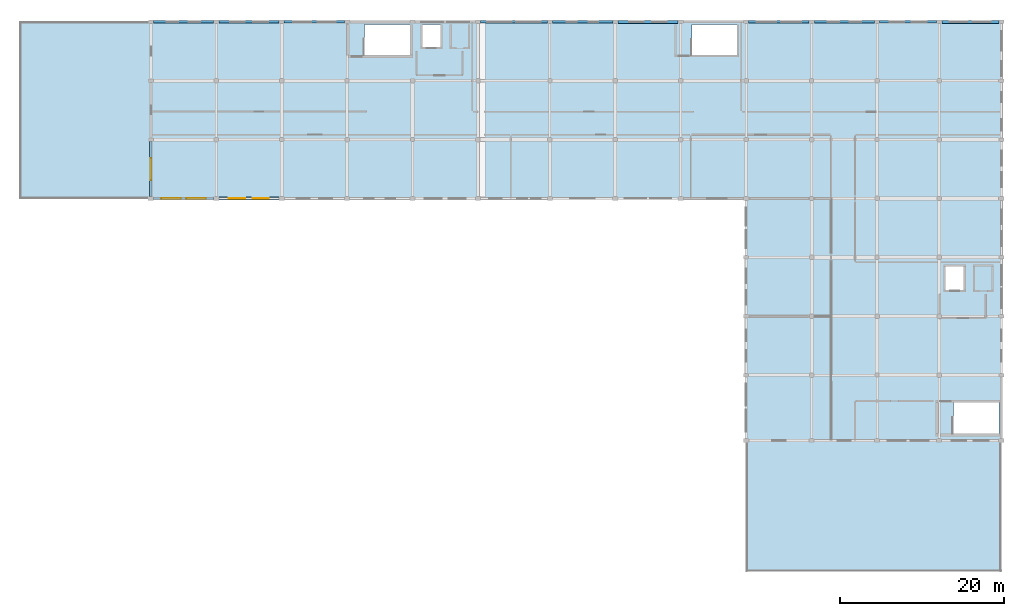
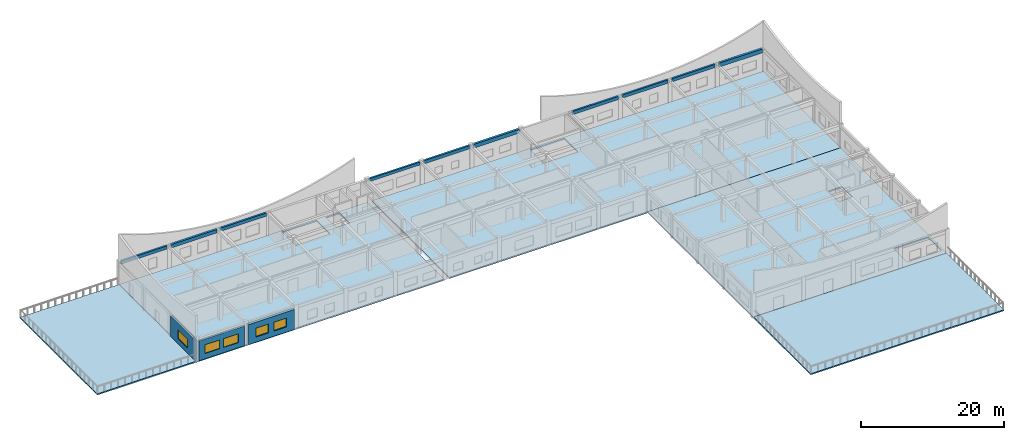
# One storey, part 3 of 10: 10 beams, 5 slabs, 5 windows, 3 walls, 5 openings.
"""IFC4 building model written with IfcOpenShell, lengths in metres."""

from ifc_helpers import new_model, si_unit, direction, frame, frame_2d, origin, origin_2d, place, context, subcontext, project, spatial, polyline, rectangle, outline, extrude, material, layer, layer_set, material_profile, profile_set, type_object, element, fill, save


model = new_model("IFC4")

# Units and contexts
model_context = context("Model", 3, precision=1e-05, world=origin(), true_north=direction((0.0, 1.0)))
body_context = subcontext(model_context, "Body", "Model", "MODEL_VIEW")
ifc_project = project(units=[si_unit("LENGTHUNIT", "METRE"), si_unit("AREAUNIT", "SQUARE_METRE"), si_unit("VOLUMEUNIT", "CUBIC_METRE"), si_unit("PLANEANGLEUNIT", "RADIAN"), si_unit("MASSUNIT", "GRAM", prefix="KILO")], contexts=[model_context])

# Site, building, storey
site_placement = place(None, origin())
site = spatial("IfcSite", under=ifc_project, at=site_placement, CompositionType="ELEMENT")
building_placement = place(site_placement, origin())
building = spatial("IfcBuilding", under=site, at=building_placement, Name="Kharva Crest Polytechnic", CompositionType="ELEMENT")
storey_placement = place(building_placement, frame((0.0, 0.0, 25.800048828125)))
storey = spatial("IfcBuildingStorey", under=building, at=storey_placement, Name="L06", CompositionType="ELEMENT", Elevation=25.800048828125)

# Beams
ifc_material_1 = material(Name="Concrete C35/45", Category="concrete")
ifc_material_profile_1 = material_profile(ifc_material_1, rectangle(XDim=0.280029296875, YDim=0.5, at=origin_2d()), Name="RECT 280 X 500")
ifc_profile_set_1 = profile_set([ifc_material_profile_1], Name="Concrete C35/45")
beam_type_1 = type_object("IfcBeamType", Name="SP-RC-280X500", PredefinedType="SPANDREL", material=ifc_profile_set_1)
beam_1_placement = place(storey_placement, frame((120.324951171875, 122.0, 3.724853515625), z_axis=(1.0, 0.0, 0.0), x_axis=(0.0, 1.0, 0.0)))
element("IfcBeam", 1, at=beam_1_placement, inside=storey, type_object=beam_type_1, Name="L06 Beam S/16-17", PredefinedType="SPANDREL", context=body_context, shape_type="SweptSolid", body=[
    extrude(rectangle(XDim=0.280029296875, YDim=0.5, at=origin_2d()), origin(), (0.0, 0.0, 1.0), 8.150146484375),
])
ifc_material_profile_2 = material_profile(ifc_material_1, rectangle(XDim=0.300048828125, YDim=0.550048828125, at=origin_2d()), Name="RECT 300 X 550")
ifc_profile_set_2 = profile_set([ifc_material_profile_2], Name="Concrete C35/45")
beam_type_2 = type_object("IfcBeamType", Name="SP-RC-300X550", PredefinedType="SPANDREL", material=ifc_profile_set_2)
for number, where, z_axis, x_axis, name in (
    (2, (80.31005859375, 122.0, 3.699951171875), (1.0, 0.0, 0.0), (0.0, 1.0, 0.0), "L06 Beam S/11-12"),
    (3, (96.31005859375, 122.0, 3.699951171875), (1.0, 0.0, 0.0), (0.0, 1.0, 0.0), "L06 Beam S/13-14"),
    (4, (129.125, 122.0, 3.699951171875), (1.0, 0.0, 0.0), (0.0, 1.0, 0.0), "L06 Beam S/17-18"),
    (5, (153.110107421875, 122.0, 3.699951171875), (1.0, 0.0, 0.0), (0.0, 1.0, 0.0), "L06 Beam S/20-21"),
    (6, (161.125, 122.0, 3.699951171875), (1.0, 0.0, 0.0), (0.0, 1.0, 0.0), "L06 Beam S/21-22"),
):
    element("IfcBeam", number, at=place(storey_placement, frame(where, z_axis=z_axis, x_axis=x_axis)), inside=storey, type_object=beam_type_2, Name=name, PredefinedType="SPANDREL", context=body_context, shape_type="SweptSolid", body=[
        extrude(rectangle(XDim=0.300048828125, YDim=0.550048828125, at=origin_2d()), origin(), (0.0, 0.0, 1.0), 7.364990234375),
    ])
beam_2_placement = place(storey_placement, frame((169.110107421875, 122.0, 3.699951171875), z_axis=(1.0, 0.0, 0.0), x_axis=(0.0, 1.0, 0.0)))
element("IfcBeam", 7, at=beam_2_placement, inside=storey, type_object=beam_type_2, Name="L06 Beam S/22-23", PredefinedType="SPANDREL", context=body_context, shape_type="SweptSolid", body=[
    extrude(rectangle(XDim=0.300048828125, YDim=0.550048828125, at=origin_2d()), origin(), (0.0, 0.0, 1.0), 6.96484375),
])
ifc_material_profile_3 = material_profile(ifc_material_1, rectangle(XDim=0.340087890625, YDim=0.60009765625, at=origin_2d()), Name="RECT 340 X 600")
ifc_profile_set_3 = profile_set([ifc_material_profile_3], Name="Concrete C35/45")
beam_type_3 = type_object("IfcBeamType", Name="SP-RC-340X600", PredefinedType="SPANDREL", material=ifc_profile_set_3)
beam_3_placement = place(storey_placement, frame((88.324951171875, 122.0, 3.675048828125), z_axis=(1.0, 0.0, 0.0), x_axis=(0.0, 1.0, 0.0)))
element("IfcBeam", 8, at=beam_3_placement, inside=storey, type_object=beam_type_3, Name="L06 Beam S/12-13", PredefinedType="SPANDREL", context=body_context, shape_type="SweptSolid", body=[
    extrude(rectangle(XDim=0.340087890625, YDim=0.60009765625, at=origin_2d()), origin(), (0.0, 0.0, 1.0), 7.364990234375),
])
ifc_material_profile_4 = material_profile(ifc_material_1, rectangle(XDim=0.360107421875, YDim=0.64990234375, at=origin_2d()), Name="RECT 360 X 650")
ifc_profile_set_4 = profile_set([ifc_material_profile_4], Name="Concrete C35/45")
beam_type_4 = type_object("IfcBeamType", Name="SP-RC-360X650", PredefinedType="SPANDREL", material=ifc_profile_set_4)
beam_4_placement = place(storey_placement, frame((137.110107421875, 122.0, 3.64990234375), z_axis=(1.0, 0.0, 0.0), x_axis=(0.0, 1.0, 0.0)))
element("IfcBeam", 9, at=beam_4_placement, inside=storey, type_object=beam_type_4, Name="L06 Beam S/18-19", PredefinedType="SPANDREL", context=body_context, shape_type="SweptSolid", body=[
    extrude(rectangle(XDim=0.360107421875, YDim=0.64990234375, at=origin_2d()), origin(), (0.0, 0.0, 1.0), 7.364990234375),
])
ifc_material_profile_5 = material_profile(ifc_material_1, rectangle(XDim=0.3798828125, YDim=0.679931640625, at=origin_2d()), Name="RECT 380 X 680")
ifc_profile_set_5 = profile_set([ifc_material_profile_5], Name="Concrete C35/45")
beam_type_5 = type_object("IfcBeamType", Name="SP-RC-380X680", PredefinedType="SPANDREL", material=ifc_profile_set_5)
beam_5_placement = place(storey_placement, frame((176.72509765625, 122.0, 3.635009765625), z_axis=(1.0, 0.0, 0.0), x_axis=(0.0, 1.0, 0.0)))
element("IfcBeam", 10, at=beam_5_placement, inside=storey, type_object=beam_type_5, Name="L06 Beam S/23-24", PredefinedType="SPANDREL", context=body_context, shape_type="SweptSolid", body=[
    extrude(rectangle(XDim=0.3798828125, YDim=0.679931640625, at=origin_2d()), origin(), (0.0, 0.0, 1.0), 6.96484375),
])

# Slabs
ifc_layer_1 = layer(ifc_material_1, 0.219970703125, Name="Concrete C35/45")
ifc_layer_set_1 = layer_set([ifc_layer_1], Name="Concrete C35/45")
slab_type_1 = type_object("IfcSlabType", Name="SLB-FLR-220", PredefinedType="FLOOR", material=ifc_layer_set_1)
slab_1_placement = place(storey_placement, frame((0.0, 0.0, -0.219970703125)))
element("IfcSlab", 11, at=slab_1_placement, inside=storey, type_object=slab_type_1, Name="L06 Structural Slab N_CREST_L6-W", PredefinedType="FLOOR", context=body_context, shape_type="SweptSolid", body=[
    extrude(outline(polyline([(80.0, 100.39990234375), (120.0, 100.39990234375), (120.0, 122.0), (80.0, 122.0), (80.0, 100.39990234375)]), holes=[polyline([(106.1298828125, 117.93994140625), (111.699951171875, 117.93994140625), (111.699951171875, 121.699951171875), (106.1298828125, 121.699951171875), (106.1298828125, 117.93994140625)]), polyline([(113.199951171875, 118.89990234375), (115.39990234375, 118.89990234375), (115.39990234375, 121.699951171875), (113.199951171875, 121.699951171875), (113.199951171875, 118.89990234375)])]), origin(), (0.0, 0.0, 1.0), 0.219970703125),
])
slab_2_placement = place(storey_placement, frame((0.0, 0.0, -0.219970703125)))
element("IfcSlab", 12, at=slab_2_placement, inside=storey, type_object=slab_type_1, Name="L06 Structural Slab N_CREST_L6-E", PredefinedType="FLOOR", context=body_context, shape_type="SweptSolid", body=[
    extrude(outline(polyline([(120.800048828125, 100.39990234375), (184.0, 100.39990234375), (184.0, 122.0), (120.800048828125, 122.0), (120.800048828125, 100.39990234375)]), holes=[polyline([(146.169921875, 117.93994140625), (151.699951171875, 117.93994140625), (151.699951171875, 121.699951171875), (146.169921875, 121.699951171875), (146.169921875, 117.93994140625)])]), origin(), (0.0, 0.0, 1.0), 0.219970703125),
])
slab_3_placement = place(storey_placement, frame((0.0, 0.0, -0.219970703125)))
element("IfcSlab", 13, at=slab_3_placement, inside=storey, type_object=slab_type_1, Name="L06 Structural Slab E_CREST_L6", PredefinedType="FLOOR", context=body_context, shape_type="SweptSolid", body=[
    extrude(outline(polyline([(152.800048828125, 70.800048828125), (184.0, 70.800048828125), (184.0, 100.39990234375), (152.800048828125, 100.39990234375), (152.800048828125, 70.800048828125)]), holes=[polyline([(178.1298828125, 71.669921875), (183.699951171875, 71.669921875), (183.699951171875, 75.429931640625), (178.1298828125, 75.429931640625), (178.1298828125, 71.669921875)]), polyline([(177.199951171875, 89.199951171875), (179.39990234375, 89.199951171875), (179.39990234375, 92.10009765625), (177.199951171875, 92.10009765625), (177.199951171875, 89.199951171875)])]), origin(), (0.0, 0.0, 1.0), 0.219970703125),
])
ifc_layer_2 = layer(ifc_material_1, 0.205078125, Name="Concrete C35/45")
ifc_layer_set_2 = layer_set([ifc_layer_2], Name="Concrete C35/45")
slab_type_2 = type_object("IfcSlabType", Name="SLB-TER-205", PredefinedType="FLOOR", material=ifc_layer_set_2)
slab_4_placement = place(storey_placement, frame((0.0, 0.0, -0.205078125)))
element("IfcSlab", 14, at=slab_4_placement, inside=storey, type_object=slab_type_2, Name="L06 Outdoor Terrace Slab TER_E_L06", PredefinedType="FLOOR", context=body_context, shape_type="SweptSolid", body=[
    extrude(outline(polyline([(152.800048828125, 54.800048828125), (184.0, 54.800048828125), (184.0, 70.800048828125), (152.800048828125, 70.800048828125), (152.800048828125, 54.800048828125)])), origin(), (0.0, 0.0, 1.0), 0.205078125),
])
ifc_layer_3 = layer(ifc_material_1, 0.215087890625, Name="Concrete C35/45")
ifc_layer_set_3 = layer_set([ifc_layer_3], Name="Concrete C35/45")
slab_type_3 = type_object("IfcSlabType", Name="SLB-TER-215", PredefinedType="FLOOR", material=ifc_layer_set_3)
slab_5_placement = place(storey_placement, frame((0.0, 0.0, -0.215087890625)))
element("IfcSlab", 15, at=slab_5_placement, inside=storey, type_object=slab_type_3, Name="L06 Outdoor Terrace Slab TER_N_L06", PredefinedType="FLOOR", context=body_context, shape_type="SweptSolid", body=[
    extrude(outline(polyline([(64.0, 100.39990234375), (80.0, 100.39990234375), (80.0, 122.0), (64.0, 122.0), (64.0, 100.39990234375)])), origin(), (0.0, 0.0, 1.0), 0.215087890625),
])

# Wall, openings, windows
ifc_material_2 = material(Name="Kiln brick masonry", Category="masonry")
ifc_layer_4 = layer(ifc_material_2, 0.260009765625, Name="Kiln brick masonry")
ifc_layer_set_4 = layer_set([ifc_layer_4], Name="Kiln brick masonry")
wall_type_1 = type_object("IfcWallType", Name="WL-EXT-BRK-260", PredefinedType="SOLIDWALL", material=ifc_layer_set_4)
wall_1_placement = place(storey_placement, frame((80.320068359375, 100.39990234375, 0.0), z_axis=(0.0, 0.0, 1.0), x_axis=(1.0, 0.0, 0.0)))
wall_1 = element("IfcWall", 16, at=wall_1_placement, inside=storey, type_object=wall_type_1, Name="L06 Exterior Brick Wall 489", PredefinedType="SOLIDWALL", context=body_context, shape_type="SweptSolid", body=[
    extrude(rectangle(XDim=7.375, YDim=0.260009765625, at=frame_2d((3.6875, 0.0))), origin(), (0.0, 0.0, 1.0), 3.375),
])
opening_1_placement = place(wall_1_placement, frame((0.965087890625, 0.0, 0.89990234375)))
opening_1 = element("IfcOpeningElement", 17, at=opening_1_placement, cuts=wall_1, Name="Opening W10", PredefinedType="OPENING", context=body_context, shape_type="SweptSolid", body=[
    extrude(rectangle(XDim=2.39990234375, YDim=1.5, at=frame_2d((1.199951171875, 0.75))), frame((0.0, 0.139892578125, 0.0), z_axis=(0.0, -1.0, 0.0), x_axis=(1.0, 0.0, 0.0)), (0.0, 0.0, 1.0), 0.280029296875),
])
opening_2_placement = place(wall_1_placement, frame((4.010009765625, 0.0, 0.89990234375)))
opening_2 = element("IfcOpeningElement", 18, at=opening_2_placement, cuts=wall_1, Name="Opening W10", PredefinedType="OPENING", context=body_context, shape_type="SweptSolid", body=[
    extrude(rectangle(XDim=2.39990234375, YDim=1.5, at=frame_2d((1.199951171875, 0.75))), frame((0.0, 0.139892578125, 0.0), z_axis=(0.0, -1.0, 0.0), x_axis=(1.0, 0.0, 0.0)), (0.0, 0.0, 1.0), 0.280029296875),
])
ifc_material_3 = material(Name="Anodised aluminium", Category="aluminium")
window_type_1 = type_object("IfcWindowType", Name="WIN-ALU-2400X1500", PartitioningType="SINGLE_PANEL", PredefinedType="WINDOW", material=ifc_material_3)
window_1_placement = place(opening_1_placement, origin())
window_1 = element("IfcWindow", 19, at=window_1_placement, inside=storey, type_object=window_type_1, Name="L06 Exterior Window 699", OverallHeight=1.5, OverallWidth=2.39990234375, PartitioningType="SINGLE_PANEL", PredefinedType="WINDOW", context=body_context, shape_type="SweptSolid", body=[
    extrude(rectangle(XDim=2.39990234375, YDim=1.5, at=frame_2d((1.199951171875, 0.75))), frame((0.0, 0.030029296875, 0.0), z_axis=(0.0, -1.0, 0.0), x_axis=(1.0, 0.0, 0.0)), (0.0, 0.0, 1.0), 0.06005859375),
])
fill(opening_1, window_1)
window_2_placement = place(opening_2_placement, origin())
window_2 = element("IfcWindow", 20, at=window_2_placement, inside=storey, type_object=window_type_1, Name="L06 Exterior Window 700", OverallHeight=1.5, OverallWidth=2.39990234375, PartitioningType="SINGLE_PANEL", PredefinedType="WINDOW", context=body_context, shape_type="SweptSolid", body=[
    extrude(rectangle(XDim=2.39990234375, YDim=1.5, at=frame_2d((1.199951171875, 0.75))), frame((0.0, 0.030029296875, 0.0), z_axis=(0.0, -1.0, 0.0), x_axis=(1.0, 0.0, 0.0)), (0.0, 0.0, 1.0), 0.06005859375),
])
fill(opening_2, window_2)

# Wall, opening, window
ifc_layer_5 = layer(ifc_material_2, 0.27490234375, Name="Kiln brick masonry")
ifc_layer_set_5 = layer_set([ifc_layer_5], Name="Kiln brick masonry")
wall_type_2 = type_object("IfcWallType", Name="WL-EXT-BRK-275", PredefinedType="SOLIDWALL", material=ifc_layer_set_5)
wall_2_placement = place(storey_placement, frame((80.0, 107.3798828125, 0.0), z_axis=(0.0, 0.0, 1.0), x_axis=(0.0, -1.0, 0.0)))
wall_2 = element("IfcWall", 21, at=wall_2_placement, inside=storey, type_object=wall_type_2, Name="L06 Exterior Brick Wall 488", PredefinedType="SOLIDWALL", context=body_context, shape_type="SweptSolid", body=[
    extrude(rectangle(XDim=6.759765625, YDim=0.27490234375, at=frame_2d((3.3798828125, 0.0))), origin(), (0.0, 0.0, 1.0), 3.514892578125),
])
opening_3_placement = place(wall_2_placement, frame((2.030029296875, 0.0, 0.89990234375)))
opening_3 = element("IfcOpeningElement", 22, at=opening_3_placement, cuts=wall_2, Name="Opening W09", PredefinedType="OPENING", context=body_context, shape_type="SweptSolid", body=[
    extrude(rectangle(XDim=2.699951171875, YDim=1.5, at=frame_2d((1.35009765625, 0.75))), frame((0.0, 0.1474609375, 0.0), z_axis=(0.0, -1.0, 0.0), x_axis=(1.0, 0.0, 0.0)), (0.0, 0.0, 1.0), 0.294921875),
])
window_type_2 = type_object("IfcWindowType", Name="WIN-ALU-2700X1500", PartitioningType="SINGLE_PANEL", PredefinedType="WINDOW", material=ifc_material_3)
window_3_placement = place(opening_3_placement, origin())
window_3 = element("IfcWindow", 23, at=window_3_placement, inside=storey, type_object=window_type_2, Name="L06 Exterior Window 698", OverallHeight=1.5, OverallWidth=2.699951171875, PartitioningType="SINGLE_PANEL", PredefinedType="WINDOW", context=body_context, shape_type="SweptSolid", body=[
    extrude(rectangle(XDim=2.699951171875, YDim=1.5, at=frame_2d((1.35009765625, 0.75))), frame((0.0, 0.030029296875, 0.0), z_axis=(0.0, -1.0, 0.0), x_axis=(1.0, 0.0, 0.0)), (0.0, 0.0, 1.0), 0.06005859375),
])
fill(opening_3, window_3)

# Wall, openings, windows
ifc_layer_6 = layer(ifc_material_2, 0.3798828125, Name="Kiln brick masonry")
ifc_layer_set_6 = layer_set([ifc_layer_6], Name="Kiln brick masonry")
wall_type_3 = type_object("IfcWallType", Name="WL-EXT-BRK-380", PredefinedType="SOLIDWALL", material=ifc_layer_set_6)
wall_3_placement = place(storey_placement, frame((88.304931640625, 100.39990234375, 0.0), z_axis=(0.0, 0.0, 1.0), x_axis=(1.0, 0.0, 0.0)))
wall_3 = element("IfcWall", 24, at=wall_3_placement, inside=storey, type_object=wall_type_3, Name="L06 Exterior Brick Wall 490", PredefinedType="SOLIDWALL", context=body_context, shape_type="SweptSolid", body=[
    extrude(rectangle(XDim=7.375, YDim=0.3798828125, at=frame_2d((3.6875, 0.0))), origin(), (0.0, 0.0, 1.0), 3.425048828125),
])
opening_4_placement = place(wall_3_placement, frame((1.23193359375, 0.0, 0.89990234375)))
opening_4 = element("IfcOpeningElement", 25, at=opening_4_placement, cuts=wall_3, Name="Opening W12", PredefinedType="OPENING", context=body_context, shape_type="SweptSolid", body=[
    extrude(rectangle(XDim=2.0, YDim=1.5, at=frame_2d((1.0, 0.75))), frame((0.0, 0.199951171875, 0.0), z_axis=(0.0, -1.0, 0.0), x_axis=(1.0, 0.0, 0.0)), (0.0, 0.0, 1.0), 0.39990234375),
])
opening_5_placement = place(wall_3_placement, frame((4.14306640625, 0.0, 0.89990234375)))
opening_5 = element("IfcOpeningElement", 26, at=opening_5_placement, cuts=wall_3, Name="Opening W12", PredefinedType="OPENING", context=body_context, shape_type="SweptSolid", body=[
    extrude(rectangle(XDim=2.0, YDim=1.5, at=frame_2d((1.0, 0.75))), frame((0.0, 0.199951171875, 0.0), z_axis=(0.0, -1.0, 0.0), x_axis=(1.0, 0.0, 0.0)), (0.0, 0.0, 1.0), 0.39990234375),
])
window_type_3 = type_object("IfcWindowType", Name="WIN-ALU-2000X1500", PartitioningType="SINGLE_PANEL", PredefinedType="WINDOW", material=ifc_material_3)
window_4_placement = place(opening_4_placement, origin())
window_4 = element("IfcWindow", 27, at=window_4_placement, inside=storey, type_object=window_type_3, Name="L06 Exterior Window 701", OverallHeight=1.5, OverallWidth=2.0, PartitioningType="SINGLE_PANEL", PredefinedType="WINDOW", context=body_context, shape_type="SweptSolid", body=[
    extrude(rectangle(XDim=2.0, YDim=1.5, at=frame_2d((1.0, 0.75))), frame((0.0, 0.030029296875, 0.0), z_axis=(0.0, -1.0, 0.0), x_axis=(1.0, 0.0, 0.0)), (0.0, 0.0, 1.0), 0.06005859375),
])
fill(opening_4, window_4)
window_5_placement = place(opening_5_placement, origin())
window_5 = element("IfcWindow", 28, at=window_5_placement, inside=storey, type_object=window_type_3, Name="L06 Exterior Window 702", OverallHeight=1.5, OverallWidth=2.0, PartitioningType="SINGLE_PANEL", PredefinedType="WINDOW", context=body_context, shape_type="SweptSolid", body=[
    extrude(rectangle(XDim=2.0, YDim=1.5, at=frame_2d((1.0, 0.75))), frame((0.0, 0.030029296875, 0.0), z_axis=(0.0, -1.0, 0.0), x_axis=(1.0, 0.0, 0.0)), (0.0, 0.0, 1.0), 0.06005859375),
])
fill(opening_5, window_5)

save(model, "model.ifc")
